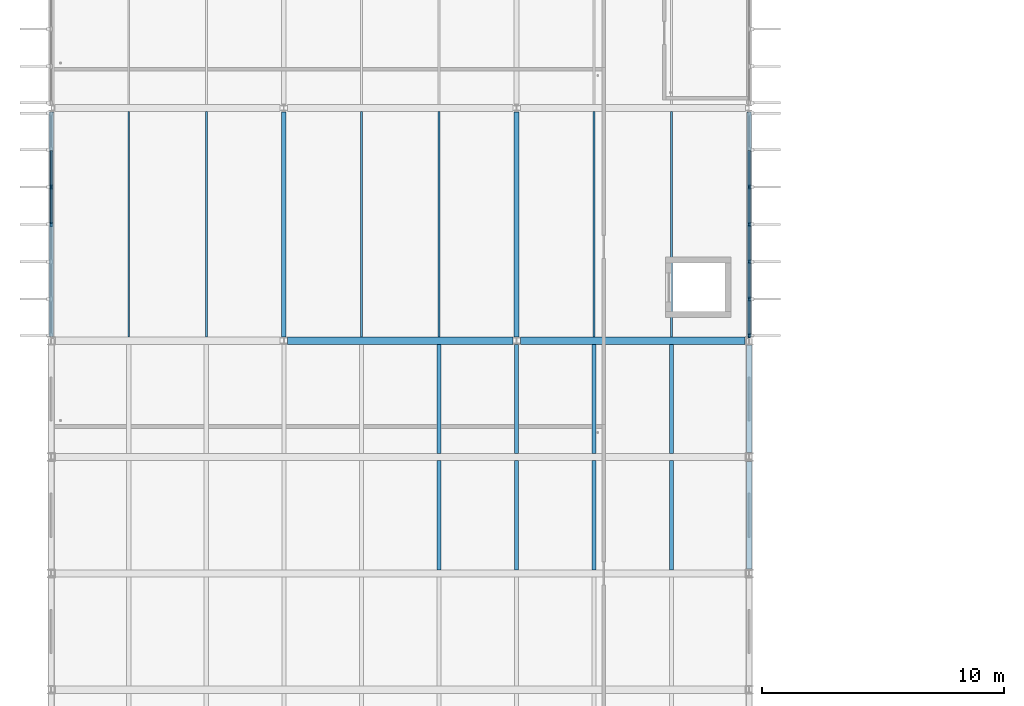
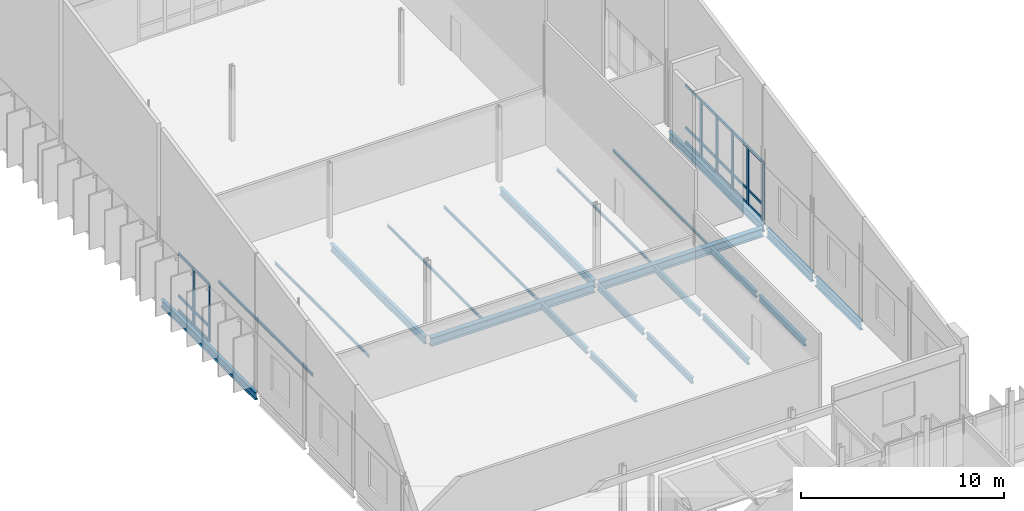
# One storey, part 25 of 93: 28 members, 22 beams, 2 elements without a shape of their own.
"""IFC4 building model written with IfcOpenShell, lengths in metres."""

from ifc_helpers import new_model, si_unit, direction, frame, origin, origin_2d, place, context, subcontext, project, spatial, rectangle, i_section, extrude, material, material_profile, profile_set, type_object, element, aggregate, save


model = new_model("IFC4")

# Units and contexts
model_context = context("Model", 3, precision=1e-05, world=origin(), true_north=direction((0.0, 1.0)))
body_context = subcontext(model_context, "Body", "Model", "MODEL_VIEW")
ifc_project = project(units=[si_unit("LENGTHUNIT", "METRE"), si_unit("AREAUNIT", "SQUARE_METRE"), si_unit("VOLUMEUNIT", "CUBIC_METRE"), si_unit("PLANEANGLEUNIT", "RADIAN"), si_unit("MASSUNIT", "GRAM", prefix="KILO")], contexts=[model_context])

# Site, building, storey
site_placement = place(None, origin())
site = spatial("IfcSite", under=ifc_project, at=site_placement, CompositionType="ELEMENT")
building_placement = place(site_placement, origin())
building = spatial("IfcBuilding", under=site, at=building_placement, Name="Dunescarp Central Library", CompositionType="ELEMENT")
storey_placement = place(building_placement, frame((0.0, 0.0, 14.10009765625)))
storey = spatial("IfcBuildingStorey", under=building, at=storey_placement, Name="L03", CompositionType="ELEMENT", Elevation=14.10009765625)

# Curtain wall, members
ifc_material_1 = material(Name="Marine-grade anodised aluminium 6063-T6", Category="aluminium")
curtain_wall_type = type_object("IfcCurtainWallType", Name="ARC-CW-STICK", PredefinedType="NOTDEFINED", material=ifc_material_1)
curtain_wall_1_placement = place(storey_placement, origin())
curtain_wall_1 = element("IfcCurtainWall", 1, at=curtain_wall_1_placement, inside=storey, type_object=curtain_wall_type, Name="L03 curtain wall CW-V4-130", PredefinedType="NOTDEFINED")
ifc_material_profile_1 = material_profile(ifc_material_1, rectangle(XDim=0.080078125, YDim=0.179931640625, at=origin_2d()), Name="AL 80x180")
ifc_profile_set_1 = profile_set([ifc_material_profile_1], Name="Marine-grade anodised aluminium 6063-T6")
member_type_1 = type_object("IfcMemberType", Name="ARC-CWM-180", PredefinedType="MULLION", material=ifc_profile_set_1)
member_1_placement = place(storey_placement, frame((0.0, 65.60009765625, 0.0), z_axis=(0.0, 0.0, 1.0), x_axis=(-1.0, 0.0, 0.0)))
member_1 = element("IfcMember", 2, at=member_1_placement, type_object=member_type_1, Name="CW-V4-130 mullion 4", PredefinedType="MULLION", context=body_context, shape_type="SweptSolid", body=[
    extrude(rectangle(XDim=0.080078125, YDim=0.179931640625, at=origin_2d()), origin(), (0.0, 0.0, 1.0), 3.48193359375),
])
member_2_placement = place(storey_placement, frame((0.0, 67.1416015625, 0.0), z_axis=(0.0, 0.0, 1.0), x_axis=(-1.0, 0.0, 0.0)))
member_2 = element("IfcMember", 3, at=member_2_placement, type_object=member_type_1, Name="CW-V4-130 mullion 5", PredefinedType="MULLION", context=body_context, shape_type="SweptSolid", body=[
    extrude(rectangle(XDim=0.080078125, YDim=0.179931640625, at=origin_2d()), origin(), (0.0, 0.0, 1.0), 3.48193359375),
])

curtain_wall_2_placement = place(storey_placement, origin())
curtain_wall_2 = element("IfcCurtainWall", 4, at=curtain_wall_2_placement, inside=storey, type_object=curtain_wall_type, Name="L03 curtain wall CW-V4-131", PredefinedType="NOTDEFINED")
member_3_placement = place(storey_placement, frame((28.800048828125, 67.1416015625, 0.0), z_axis=(0.0, 0.0, 1.0), x_axis=(1.0, 0.0, 0.0)))
member_3 = element("IfcMember", 5, at=member_3_placement, type_object=member_type_1, Name="CW-V4-131 mullion 3", PredefinedType="MULLION", context=body_context, shape_type="SweptSolid", body=[
    extrude(rectangle(XDim=0.080078125, YDim=0.179931640625, at=origin_2d()), origin(), (0.0, 0.0, 1.0), 3.48193359375),
])
member_4_placement = place(storey_placement, frame((28.800048828125, 65.60009765625, 0.0), z_axis=(0.0, 0.0, 1.0), x_axis=(1.0, 0.0, 0.0)))
member_4 = element("IfcMember", 6, at=member_4_placement, type_object=member_type_1, Name="CW-V4-131 mullion 4", PredefinedType="MULLION", context=body_context, shape_type="SweptSolid", body=[
    extrude(rectangle(XDim=0.080078125, YDim=0.179931640625, at=origin_2d()), origin(), (0.0, 0.0, 1.0), 3.48193359375),
])
member_5_placement = place(storey_placement, frame((28.800048828125, 64.058349609375, 0.0), z_axis=(0.0, 0.0, 1.0), x_axis=(1.0, 0.0, 0.0)))
member_5 = element("IfcMember", 7, at=member_5_placement, type_object=member_type_1, Name="CW-V4-131 mullion 5", PredefinedType="MULLION", context=body_context, shape_type="SweptSolid", body=[
    extrude(rectangle(XDim=0.080078125, YDim=0.179931640625, at=origin_2d()), origin(), (0.0, 0.0, 1.0), 3.48193359375),
])
member_6_placement = place(storey_placement, frame((28.800048828125, 62.5166015625, 0.0), z_axis=(0.0, 0.0, 1.0), x_axis=(1.0, 0.0, 0.0)))
member_6 = element("IfcMember", 8, at=member_6_placement, type_object=member_type_1, Name="CW-V4-131 mullion 6", PredefinedType="MULLION", context=body_context, shape_type="SweptSolid", body=[
    extrude(rectangle(XDim=0.080078125, YDim=0.179931640625, at=origin_2d()), origin(), (0.0, 0.0, 1.0), 3.48193359375),
])
member_7_placement = place(storey_placement, frame((28.800048828125, 61.014892578125, 0.0), z_axis=(0.0, 0.0, 1.0), x_axis=(1.0, 0.0, 0.0)))
member_7 = element("IfcMember", 9, at=member_7_placement, type_object=member_type_1, Name="CW-V4-131 mullion 7", PredefinedType="MULLION", context=body_context, shape_type="SweptSolid", body=[
    extrude(rectangle(XDim=0.080078125, YDim=0.179931640625, at=origin_2d()), origin(), (0.0, 0.0, 1.0), 3.48193359375),
])

# Member
ifc_material_profile_2 = material_profile(ifc_material_1, rectangle(XDim=0.080078125, YDim=0.14990234375, at=origin_2d()), Name="AL 80x150")
ifc_profile_set_2 = profile_set([ifc_material_profile_2], Name="Marine-grade anodised aluminium 6063-T6")
member_type_2 = type_object("IfcMemberType", Name="ARC-CWT-150", PredefinedType="USERDEFINED", material=ifc_profile_set_2)
member_8_placement = place(storey_placement, frame((0.0, 65.639892578125, 0.039794921875), z_axis=(0.0, 1.0, 0.0), x_axis=(-1.0, 0.0, 0.0)))
member_8 = element("IfcMember", 10, at=member_8_placement, type_object=member_type_2, Name="CW-V4-130 transom 4.1", ObjectType="TRANSOM", PredefinedType="USERDEFINED", context=body_context, shape_type="SweptSolid", body=[
    extrude(rectangle(XDim=0.080078125, YDim=0.14990234375, at=origin_2d()), origin(), (0.0, 0.0, 1.0), 1.461669921875),
])

member_9_placement = place(storey_placement, frame((0.0, 65.639892578125, 0.89990234375), z_axis=(0.0, 1.0, 0.0), x_axis=(-1.0, 0.0, 0.0)))
member_9 = element("IfcMember", 11, at=member_9_placement, type_object=member_type_2, Name="CW-V4-130 transom 4.2", ObjectType="TRANSOM", PredefinedType="USERDEFINED", context=body_context, shape_type="SweptSolid", body=[
    extrude(rectangle(XDim=0.080078125, YDim=0.14990234375, at=origin_2d()), origin(), (0.0, 0.0, 1.0), 1.461669921875),
])

member_10_placement = place(storey_placement, frame((0.0, 65.639892578125, 3.44189453125), z_axis=(0.0, 1.0, 0.0), x_axis=(-1.0, 0.0, 0.0)))
member_10 = element("IfcMember", 12, at=member_10_placement, type_object=member_type_2, Name="CW-V4-130 transom 4.3", ObjectType="TRANSOM", PredefinedType="USERDEFINED", context=body_context, shape_type="SweptSolid", body=[
    extrude(rectangle(XDim=0.080078125, YDim=0.14990234375, at=origin_2d()), origin(), (0.0, 0.0, 1.0), 1.461669921875),
])

member_11_placement = place(storey_placement, frame((0.0, 67.181640625, 0.039794921875), z_axis=(0.0, 1.0, 0.0), x_axis=(-1.0, 0.0, 0.0)))
member_11 = element("IfcMember", 13, at=member_11_placement, type_object=member_type_2, Name="CW-V4-130 transom 5.1", ObjectType="TRANSOM", PredefinedType="USERDEFINED", context=body_context, shape_type="SweptSolid", body=[
    extrude(rectangle(XDim=0.080078125, YDim=0.14990234375, at=origin_2d()), origin(), (0.0, 0.0, 1.0), 1.461669921875),
])

member_12_placement = place(storey_placement, frame((0.0, 67.181640625, 0.89990234375), z_axis=(0.0, 1.0, 0.0), x_axis=(-1.0, 0.0, 0.0)))
member_12 = element("IfcMember", 14, at=member_12_placement, type_object=member_type_2, Name="CW-V4-130 transom 5.2", ObjectType="TRANSOM", PredefinedType="USERDEFINED", context=body_context, shape_type="SweptSolid", body=[
    extrude(rectangle(XDim=0.080078125, YDim=0.14990234375, at=origin_2d()), origin(), (0.0, 0.0, 1.0), 1.461669921875),
])

member_13_placement = place(storey_placement, frame((0.0, 67.181640625, 3.44189453125), z_axis=(0.0, 1.0, 0.0), x_axis=(-1.0, 0.0, 0.0)))
member_13 = element("IfcMember", 15, at=member_13_placement, type_object=member_type_2, Name="CW-V4-130 transom 5.3", ObjectType="TRANSOM", PredefinedType="USERDEFINED", context=body_context, shape_type="SweptSolid", body=[
    extrude(rectangle(XDim=0.080078125, YDim=0.14990234375, at=origin_2d()), origin(), (0.0, 0.0, 1.0), 1.461669921875),
])

aggregate(curtain_wall_1, [member_1, member_2, member_8, member_9, member_10, member_11, member_12, member_13])

member_14_placement = place(storey_placement, frame((28.800048828125, 68.643310546875, 0.039794921875), z_axis=(0.0, -1.0, 0.0), x_axis=(1.0, 0.0, 0.0)))
member_14 = element("IfcMember", 16, at=member_14_placement, type_object=member_type_2, Name="CW-V4-131 transom 2.1", ObjectType="TRANSOM", PredefinedType="USERDEFINED", context=body_context, shape_type="SweptSolid", body=[
    extrude(rectangle(XDim=0.080078125, YDim=0.14990234375, at=origin_2d()), origin(), (0.0, 0.0, 1.0), 1.461669921875),
])

member_15_placement = place(storey_placement, frame((28.800048828125, 68.643310546875, 0.89990234375), z_axis=(0.0, -1.0, 0.0), x_axis=(1.0, 0.0, 0.0)))
member_15 = element("IfcMember", 17, at=member_15_placement, type_object=member_type_2, Name="CW-V4-131 transom 2.2", ObjectType="TRANSOM", PredefinedType="USERDEFINED", context=body_context, shape_type="SweptSolid", body=[
    extrude(rectangle(XDim=0.080078125, YDim=0.14990234375, at=origin_2d()), origin(), (0.0, 0.0, 1.0), 1.461669921875),
])

member_16_placement = place(storey_placement, frame((28.800048828125, 68.643310546875, 3.44189453125), z_axis=(0.0, -1.0, 0.0), x_axis=(1.0, 0.0, 0.0)))
member_16 = element("IfcMember", 18, at=member_16_placement, type_object=member_type_2, Name="CW-V4-131 transom 2.3", ObjectType="TRANSOM", PredefinedType="USERDEFINED", context=body_context, shape_type="SweptSolid", body=[
    extrude(rectangle(XDim=0.080078125, YDim=0.14990234375, at=origin_2d()), origin(), (0.0, 0.0, 1.0), 1.461669921875),
])

member_17_placement = place(storey_placement, frame((28.800048828125, 67.1015625, 0.039794921875), z_axis=(0.0, -1.0, 0.0), x_axis=(1.0, 0.0, 0.0)))
member_17 = element("IfcMember", 19, at=member_17_placement, type_object=member_type_2, Name="CW-V4-131 transom 3.1", ObjectType="TRANSOM", PredefinedType="USERDEFINED", context=body_context, shape_type="SweptSolid", body=[
    extrude(rectangle(XDim=0.080078125, YDim=0.14990234375, at=origin_2d()), origin(), (0.0, 0.0, 1.0), 1.461669921875),
])

member_18_placement = place(storey_placement, frame((28.800048828125, 67.1015625, 0.89990234375), z_axis=(0.0, -1.0, 0.0), x_axis=(1.0, 0.0, 0.0)))
member_18 = element("IfcMember", 20, at=member_18_placement, type_object=member_type_2, Name="CW-V4-131 transom 3.2", ObjectType="TRANSOM", PredefinedType="USERDEFINED", context=body_context, shape_type="SweptSolid", body=[
    extrude(rectangle(XDim=0.080078125, YDim=0.14990234375, at=origin_2d()), origin(), (0.0, 0.0, 1.0), 1.461669921875),
])

member_19_placement = place(storey_placement, frame((28.800048828125, 67.1015625, 3.44189453125), z_axis=(0.0, -1.0, 0.0), x_axis=(1.0, 0.0, 0.0)))
member_19 = element("IfcMember", 21, at=member_19_placement, type_object=member_type_2, Name="CW-V4-131 transom 3.3", ObjectType="TRANSOM", PredefinedType="USERDEFINED", context=body_context, shape_type="SweptSolid", body=[
    extrude(rectangle(XDim=0.080078125, YDim=0.14990234375, at=origin_2d()), origin(), (0.0, 0.0, 1.0), 1.461669921875),
])

member_20_placement = place(storey_placement, frame((28.800048828125, 65.56005859375, 0.039794921875), z_axis=(0.0, -1.0, 0.0), x_axis=(1.0, 0.0, 0.0)))
member_20 = element("IfcMember", 22, at=member_20_placement, type_object=member_type_2, Name="CW-V4-131 transom 4.1", ObjectType="TRANSOM", PredefinedType="USERDEFINED", context=body_context, shape_type="SweptSolid", body=[
    extrude(rectangle(XDim=0.080078125, YDim=0.14990234375, at=origin_2d()), origin(), (0.0, 0.0, 1.0), 1.461669921875),
])

member_21_placement = place(storey_placement, frame((28.800048828125, 65.56005859375, 0.89990234375), z_axis=(0.0, -1.0, 0.0), x_axis=(1.0, 0.0, 0.0)))
member_21 = element("IfcMember", 23, at=member_21_placement, type_object=member_type_2, Name="CW-V4-131 transom 4.2", ObjectType="TRANSOM", PredefinedType="USERDEFINED", context=body_context, shape_type="SweptSolid", body=[
    extrude(rectangle(XDim=0.080078125, YDim=0.14990234375, at=origin_2d()), origin(), (0.0, 0.0, 1.0), 1.461669921875),
])

member_22_placement = place(storey_placement, frame((28.800048828125, 65.56005859375, 3.44189453125), z_axis=(0.0, -1.0, 0.0), x_axis=(1.0, 0.0, 0.0)))
member_22 = element("IfcMember", 24, at=member_22_placement, type_object=member_type_2, Name="CW-V4-131 transom 4.3", ObjectType="TRANSOM", PredefinedType="USERDEFINED", context=body_context, shape_type="SweptSolid", body=[
    extrude(rectangle(XDim=0.080078125, YDim=0.14990234375, at=origin_2d()), origin(), (0.0, 0.0, 1.0), 1.461669921875),
])

member_23_placement = place(storey_placement, frame((28.800048828125, 64.018310546875, 0.039794921875), z_axis=(0.0, -1.0, 0.0), x_axis=(1.0, 0.0, 0.0)))
member_23 = element("IfcMember", 25, at=member_23_placement, type_object=member_type_2, Name="CW-V4-131 transom 5.1", ObjectType="TRANSOM", PredefinedType="USERDEFINED", context=body_context, shape_type="SweptSolid", body=[
    extrude(rectangle(XDim=0.080078125, YDim=0.14990234375, at=origin_2d()), origin(), (0.0, 0.0, 1.0), 1.461669921875),
])

member_24_placement = place(storey_placement, frame((28.800048828125, 64.018310546875, 0.89990234375), z_axis=(0.0, -1.0, 0.0), x_axis=(1.0, 0.0, 0.0)))
member_24 = element("IfcMember", 26, at=member_24_placement, type_object=member_type_2, Name="CW-V4-131 transom 5.2", ObjectType="TRANSOM", PredefinedType="USERDEFINED", context=body_context, shape_type="SweptSolid", body=[
    extrude(rectangle(XDim=0.080078125, YDim=0.14990234375, at=origin_2d()), origin(), (0.0, 0.0, 1.0), 1.461669921875),
])

member_25_placement = place(storey_placement, frame((28.800048828125, 64.018310546875, 3.44189453125), z_axis=(0.0, -1.0, 0.0), x_axis=(1.0, 0.0, 0.0)))
member_25 = element("IfcMember", 27, at=member_25_placement, type_object=member_type_2, Name="CW-V4-131 transom 5.3", ObjectType="TRANSOM", PredefinedType="USERDEFINED", context=body_context, shape_type="SweptSolid", body=[
    extrude(rectangle(XDim=0.080078125, YDim=0.14990234375, at=origin_2d()), origin(), (0.0, 0.0, 1.0), 1.461669921875),
])

member_26_placement = place(storey_placement, frame((28.800048828125, 62.4765625, 0.039794921875), z_axis=(0.0, -1.0, 0.0), x_axis=(1.0, 0.0, 0.0)))
member_26 = element("IfcMember", 28, at=member_26_placement, type_object=member_type_2, Name="CW-V4-131 transom 6.1", ObjectType="TRANSOM", PredefinedType="USERDEFINED", context=body_context, shape_type="SweptSolid", body=[
    extrude(rectangle(XDim=0.080078125, YDim=0.14990234375, at=origin_2d()), origin(), (0.0, 0.0, 1.0), 1.421630859375),
])

member_27_placement = place(storey_placement, frame((28.800048828125, 62.4765625, 0.89990234375), z_axis=(0.0, -1.0, 0.0), x_axis=(1.0, 0.0, 0.0)))
member_27 = element("IfcMember", 29, at=member_27_placement, type_object=member_type_2, Name="CW-V4-131 transom 6.2", ObjectType="TRANSOM", PredefinedType="USERDEFINED", context=body_context, shape_type="SweptSolid", body=[
    extrude(rectangle(XDim=0.080078125, YDim=0.14990234375, at=origin_2d()), origin(), (0.0, 0.0, 1.0), 1.421630859375),
])

member_28_placement = place(storey_placement, frame((28.800048828125, 62.4765625, 3.44189453125), z_axis=(0.0, -1.0, 0.0), x_axis=(1.0, 0.0, 0.0)))
member_28 = element("IfcMember", 30, at=member_28_placement, type_object=member_type_2, Name="CW-V4-131 transom 6.3", ObjectType="TRANSOM", PredefinedType="USERDEFINED", context=body_context, shape_type="SweptSolid", body=[
    extrude(rectangle(XDim=0.080078125, YDim=0.14990234375, at=origin_2d()), origin(), (0.0, 0.0, 1.0), 1.421630859375),
])

aggregate(curtain_wall_2, [member_3, member_4, member_5, member_6, member_7, member_14, member_15, member_16, member_17, member_18, member_19, member_20, member_21, member_22, member_23, member_24, member_25, member_26, member_27, member_28])

# Beams
ifc_material_2 = material(Name="Steel S355JR", Category="steel")
ifc_material_profile_3 = material_profile(ifc_material_2, i_section(OverallWidth=0.300048828125, OverallDepth=0.5, WebThickness=0.014404296875, FlangeThickness=0.028076171875, at=origin_2d()), Name="HEB 500")
ifc_profile_set_3 = profile_set([ifc_material_profile_3], Name="Steel S355JR")
beam_type_1 = type_object("IfcBeamType", Name="STR-BM-HEB500", PredefinedType="BEAM", material=ifc_profile_set_3)
beam_1_placement = place(storey_placement, frame((9.7529296875, 60.800048828125, -0.489990234375), z_axis=(1.0, 0.0, 0.0), x_axis=(0.0, 1.0, 0.0)))
element("IfcBeam", 31, at=beam_1_placement, inside=storey, type_object=beam_type_1, Name="L03 girder BM-L03-1045", PredefinedType="BEAM", context=body_context, shape_type="SweptSolid", body=[
    extrude(i_section(OverallWidth=0.300048828125, OverallDepth=0.5, WebThickness=0.014404296875, FlangeThickness=0.028076171875, at=origin_2d()), origin(), (0.0, 0.0, 1.0), 9.294189453125),
])
beam_2_placement = place(storey_placement, frame((19.35302734375, 60.800048828125, -0.489990234375), z_axis=(1.0, 0.0, 0.0), x_axis=(0.0, 1.0, 0.0)))
element("IfcBeam", 32, at=beam_2_placement, inside=storey, type_object=beam_type_1, Name="L03 girder BM-L03-1058", PredefinedType="BEAM", context=body_context, shape_type="SweptSolid", body=[
    extrude(i_section(OverallWidth=0.300048828125, OverallDepth=0.5, WebThickness=0.014404296875, FlangeThickness=0.028076171875, at=origin_2d()), origin(), (0.0, 0.0, 1.0), 9.264892578125),
])
ifc_material_profile_4 = material_profile(ifc_material_2, i_section(OverallWidth=0.18994140625, OverallDepth=0.453369140625, WebThickness=0.008544921875, FlangeThickness=0.0126953125, at=origin_2d()), Name="UB 457x191x67")
ifc_profile_set_4 = profile_set([ifc_material_profile_4], Name="Steel S355JR")
beam_type_2 = type_object("IfcBeamType", Name="STR-BM-UB457", PredefinedType="BEAM", material=ifc_profile_set_4)
beam_3_placement = place(storey_placement, frame((0.0, 60.97802734375, -0.467041015625), z_axis=(0.0, 1.0, 0.0), x_axis=(-1.0, 0.0, 0.0)))
element("IfcBeam", 33, at=beam_3_placement, inside=storey, type_object=beam_type_2, Name="L03 girder BM-L03-1031", PredefinedType="BEAM", context=body_context, shape_type="SweptSolid", body=[
    extrude(i_section(OverallWidth=0.18994140625, OverallDepth=0.453369140625, WebThickness=0.008544921875, FlangeThickness=0.0126953125, at=origin_2d()), origin(), (0.0, 0.0, 1.0), 9.260986328125),
])
for number, where, z_axis, x_axis, name in (
    (34, (9.60009765625, 60.9609375, -0.467041015625), (0.0, 1.0, 0.0), (-1.0, 0.0, 0.0), "L03 girder BM-L03-1032"),
    (35, (19.199951171875, 60.9609375, -0.467041015625), (0.0, 1.0, 0.0), (-1.0, 0.0, 0.0), "L03 girder BM-L03-1047"),
):
    element("IfcBeam", number, at=place(storey_placement, frame(where, z_axis=z_axis, x_axis=x_axis)), inside=storey, type_object=beam_type_2, Name=name, PredefinedType="BEAM", context=body_context, shape_type="SweptSolid", body=[
        extrude(i_section(OverallWidth=0.18994140625, OverallDepth=0.453369140625, WebThickness=0.008544921875, FlangeThickness=0.0126953125, at=origin_2d()), origin(), (0.0, 0.0, 1.0), 9.278076171875),
    ])
beam_4_placement = place(storey_placement, frame((28.800048828125, 60.97802734375, -0.467041015625), z_axis=(0.0, 1.0, 0.0), x_axis=(-1.0, 0.0, 0.0)))
element("IfcBeam", 36, at=beam_4_placement, inside=storey, type_object=beam_type_2, Name="L03 girder BM-L03-1060", PredefinedType="BEAM", context=body_context, shape_type="SweptSolid", body=[
    extrude(i_section(OverallWidth=0.18994140625, OverallDepth=0.453369140625, WebThickness=0.008544921875, FlangeThickness=0.0126953125, at=origin_2d()), origin(), (0.0, 0.0, 1.0), 9.260986328125),
])
ifc_material_profile_5 = material_profile(ifc_material_2, i_section(OverallWidth=0.209228515625, OverallDepth=0.533203125, WebThickness=0.010009765625, FlangeThickness=0.015625, at=origin_2d()), Name="UB 533x210x92")
ifc_profile_set_5 = profile_set([ifc_material_profile_5], Name="Steel S355JR")
beam_type_3 = type_object("IfcBeamType", Name="STR-BM-UB533", PredefinedType="BEAM", material=ifc_profile_set_5)
for number, where, z_axis, x_axis, name in (
    (37, (28.800048828125, 51.3779296875, -0.506103515625), (0.0, 1.0, 0.0), (-1.0, 0.0, 0.0), "L03 edge girder BM-L03-1396"),
    (38, (28.800048828125, 56.177978515625, -0.506103515625), (0.0, 1.0, 0.0), (-1.0, 0.0, 0.0), "L03 edge girder BM-L03-1397"),
):
    element("IfcBeam", number, at=place(storey_placement, frame(where, z_axis=z_axis, x_axis=x_axis)), inside=storey, type_object=beam_type_3, Name=name, PredefinedType="BEAM", context=body_context, shape_type="SweptSolid", body=[
        extrude(i_section(OverallWidth=0.209228515625, OverallDepth=0.533203125, WebThickness=0.010009765625, FlangeThickness=0.015625, at=origin_2d()), origin(), (0.0, 0.0, 1.0), 4.444091796875),
    ])
ifc_material_profile_6 = material_profile(ifc_material_2, i_section(OverallWidth=0.08203125, OverallDepth=0.159912109375, WebThickness=0.0048828125, FlangeThickness=0.00732421875, at=origin_2d()), Name="IPE 160")
ifc_profile_set_6 = profile_set([ifc_material_profile_6], Name="Steel S355JR")
beam_type_4 = type_object("IfcBeamType", Name="STR-JS-IPE160", PredefinedType="JOIST", material=ifc_profile_set_6)
for number, where, z_axis, x_axis, name in (
    (39, (3.199951171875, 60.947998046875, -0.320068359375), (0.0, 1.0, 0.0), (-1.0, 0.0, 0.0), "L03 joist JS-L03-1033"),
    (40, (6.39990234375, 60.947998046875, -0.320068359375), (0.0, 1.0, 0.0), (-1.0, 0.0, 0.0), "L03 joist JS-L03-1034"),
    (41, (12.800048828125, 60.947998046875, -0.320068359375), (0.0, 1.0, 0.0), (-1.0, 0.0, 0.0), "L03 joist JS-L03-1048"),
    (42, (16.0, 60.947998046875, -0.320068359375), (0.0, 1.0, 0.0), (-1.0, 0.0, 0.0), "L03 joist JS-L03-1049"),
    (43, (22.39990234375, 60.947998046875, -0.320068359375), (0.0, 1.0, 0.0), (-1.0, 0.0, 0.0), "L03 joist JS-L03-1061"),
    (44, (25.60009765625, 60.947998046875, -0.320068359375), (0.0, 1.0, 0.0), (-1.0, 0.0, 0.0), "L03 joist JS-L03-1062"),
):
    element("IfcBeam", number, at=place(storey_placement, frame(where, z_axis=z_axis, x_axis=x_axis)), inside=storey, type_object=beam_type_4, Name=name, PredefinedType="JOIST", context=body_context, shape_type="SweptSolid", body=[
        extrude(i_section(OverallWidth=0.08203125, OverallDepth=0.159912109375, WebThickness=0.0048828125, FlangeThickness=0.00732421875, at=origin_2d()), origin(), (0.0, 0.0, 1.0), 9.303955078125),
    ])
ifc_material_profile_7 = material_profile(ifc_material_2, i_section(OverallWidth=0.169921875, OverallDepth=0.360107421875, WebThickness=0.008056640625, FlangeThickness=0.0126953125, at=origin_2d()), Name="IPE 360")
ifc_profile_set_7 = profile_set([ifc_material_profile_7], Name="Steel S355JR")
beam_type_5 = type_object("IfcBeamType", Name="STR-JS-IPE360", PredefinedType="JOIST", material=ifc_profile_set_7)
for number, where, z_axis, x_axis, name in (
    (45, (16.0, 51.347900390625, -0.420166015625), (0.0, 1.0, 0.0), (-1.0, 0.0, 0.0), "L03 joist JS-L03-1418"),
    (46, (19.199951171875, 51.347900390625, -0.420166015625), (0.0, 1.0, 0.0), (-1.0, 0.0, 0.0), "L03 joist JS-L03-1419"),
    (47, (22.39990234375, 51.347900390625, -0.420166015625), (0.0, 1.0, 0.0), (-1.0, 0.0, 0.0), "L03 joist JS-L03-1420"),
    (48, (25.60009765625, 51.347900390625, -0.420166015625), (0.0, 1.0, 0.0), (-1.0, 0.0, 0.0), "L03 joist JS-L03-1421"),
    (49, (16.0, 56.14794921875, -0.420166015625), (0.0, 1.0, 0.0), (-1.0, 0.0, 0.0), "L03 joist JS-L03-1426"),
    (50, (19.199951171875, 56.14794921875, -0.420166015625), (0.0, 1.0, 0.0), (-1.0, 0.0, 0.0), "L03 joist JS-L03-1427"),
    (51, (22.39990234375, 56.14794921875, -0.420166015625), (0.0, 1.0, 0.0), (-1.0, 0.0, 0.0), "L03 joist JS-L03-1428"),
    (52, (25.60009765625, 56.14794921875, -0.420166015625), (0.0, 1.0, 0.0), (-1.0, 0.0, 0.0), "L03 joist JS-L03-1429"),
):
    element("IfcBeam", number, at=place(storey_placement, frame(where, z_axis=z_axis, x_axis=x_axis)), inside=storey, type_object=beam_type_5, Name=name, PredefinedType="JOIST", context=body_context, shape_type="SweptSolid", body=[
        extrude(i_section(OverallWidth=0.169921875, OverallDepth=0.360107421875, WebThickness=0.008056640625, FlangeThickness=0.0126953125, at=origin_2d()), origin(), (0.0, 0.0, 1.0), 4.504150390625),
    ])

save(model, "model.ifc")
